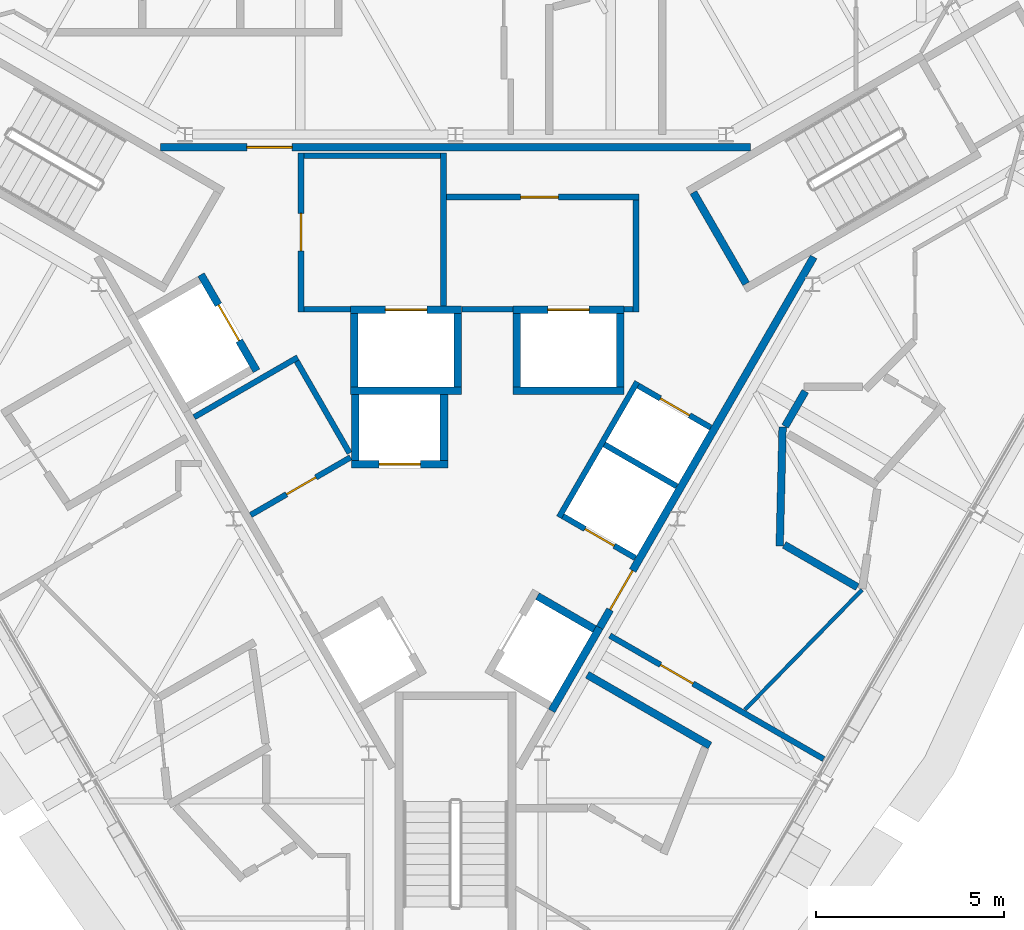
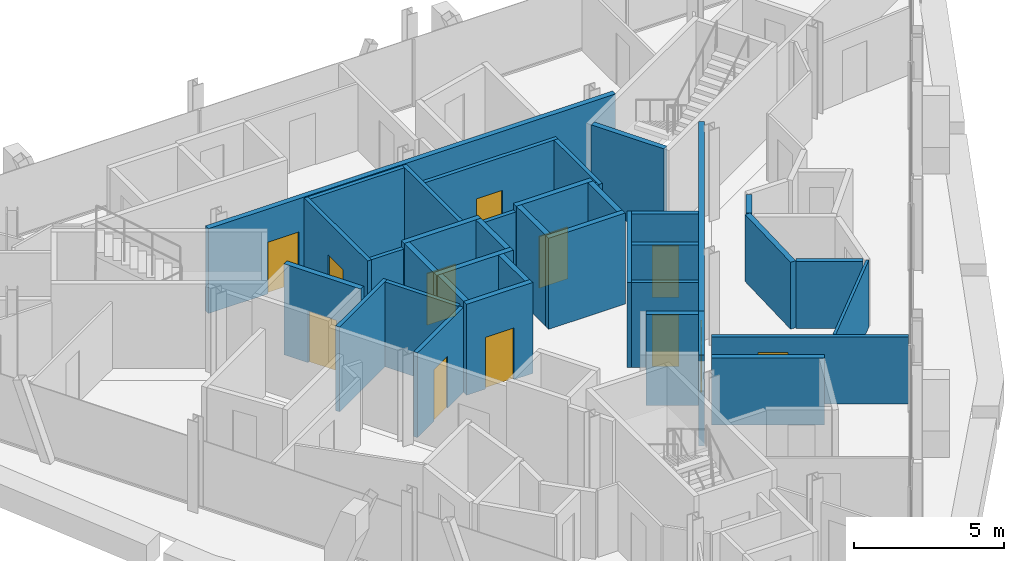
# One storey, part 9 of 13: 38 walls, 12 doors, 12 openings.
"""IFC4 building model written with IfcOpenShell, lengths in metres."""

from ifc_helpers import new_model, si_unit, direction, frame, frame_2d, origin, place, context, subcontext, project, spatial, rectangle, extrude, material, layer, layer_set, type_object, element, fill, save


model = new_model("IFC4")

# Units and contexts
model_context = context("Model", 3, precision=1e-05, world=origin(), true_north=direction((0.0, 1.0)))
body_context = subcontext(model_context, "Body", "Model", "MODEL_VIEW")
ifc_project = project(units=[si_unit("LENGTHUNIT", "METRE"), si_unit("AREAUNIT", "SQUARE_METRE"), si_unit("VOLUMEUNIT", "CUBIC_METRE"), si_unit("PLANEANGLEUNIT", "RADIAN"), si_unit("MASSUNIT", "GRAM", prefix="KILO")], contexts=[model_context])

# Site, building, storey
site_placement = place(None, origin())
site = spatial("IfcSite", under=ifc_project, at=site_placement, CompositionType="ELEMENT")
building_placement = place(site_placement, origin())
building = spatial("IfcBuilding", under=site, at=building_placement, Name="Verrane Prism Tower", CompositionType="ELEMENT")
storey_placement = place(building_placement, frame((0.0, 0.0, 278.800048828125)))
storey = spatial("IfcBuildingStorey", under=building, at=storey_placement, Name="L70", CompositionType="ELEMENT", Elevation=278.800048828125)

# Wall, opening, door
ifc_material_1 = material(Name="Gypsum board partition", Category="other")
ifc_layer_1 = layer(ifc_material_1, 0.199951171875)
ifc_layer_set_1 = layer_set([ifc_layer_1], Name="CW-200 core boundary wall 2 h")
wall_type_1 = type_object("IfcWallType", Name="CW-200 core boundary wall 2 h", PredefinedType="PARTITIONING", material=ifc_layer_set_1)
wall_1_placement = place(storey_placement, frame((7.8291015625, 6.4599609375, 0.0), z_axis=(0.0, 0.0, 1.0), x_axis=(-1.0, 0.0, 0.0)))
wall_1 = element("IfcWall", 1, at=wall_1_placement, inside=storey, type_object=wall_type_1, Name="Core boundary wall CW3-002", PredefinedType="PARTITIONING", context=body_context, shape_type="SweptSolid", body=[
    extrude(rectangle(XDim=15.658203125, YDim=0.199951171875, at=frame_2d((7.8291015625, 0.0))), origin(), (0.0, 0.0, 1.0), 3.449951171875),
])
opening_1_placement = place(wall_1_placement, frame((12.16796875, 0.0, 0.0)))
opening_1 = element("IfcOpeningElement", 2, at=opening_1_placement, cuts=wall_1, Name="Opening D69509", PredefinedType="OPENING", context=body_context, shape_type="SweptSolid", body=[
    extrude(rectangle(XDim=1.199951171875, YDim=2.10009765625, at=frame_2d((0.60009765625, 1.050048828125))), frame((0.0, 0.10986328125, 0.0), z_axis=(0.0, -1.0, 0.0), x_axis=(1.0, 0.0, 0.0)), (0.0, 0.0, 1.0), 0.219970703125),
])
ifc_material_2 = material(Name="Timber veneered door leaf", Category="wood")
door_type_1 = type_object("IfcDoorType", Name="DR-1200x2100 FD60 single leaf lift lobby", OperationType="NOTDEFINED", PredefinedType="DOOR", material=ifc_material_2)
door_1_placement = place(opening_1_placement, origin())
door_1 = element("IfcDoor", 3, at=door_1_placement, inside=storey, type_object=door_type_1, Name="Lift lobby door D69509", OperationType="SINGLE_SWING_RIGHT", OverallHeight=2.10009765625, OverallWidth=1.199951171875, PredefinedType="DOOR", context=body_context, shape_type="SweptSolid", body=[
    extrude(rectangle(XDim=1.199951171875, YDim=2.10009765625, at=frame_2d((0.60009765625, 1.050048828125))), frame((0.0, 0.02490234375, 0.0), z_axis=(0.0, -1.0, 0.0), x_axis=(1.0, 0.0, 0.0)), (0.0, 0.0, 1.0), 0.050048828125),
])
fill(opening_1, door_1)

wall_2_placement = place(storey_placement, frame((3.827880859375, -6.2900390625, 0.0), z_axis=(0.0, 0.0, 1.0), x_axis=(0.499979739078, 0.866037101117, 0.0)))
wall_2 = element("IfcWall", 4, at=wall_2_placement, inside=storey, type_object=wall_type_1, Name="Core boundary wall CW3-006", PredefinedType="PARTITIONING", context=body_context, shape_type="SweptSolid", body=[
    extrude(rectangle(XDim=11.36279296875, YDim=0.199951171875, at=frame_2d((5.681396484375, 0.0))), origin(), (0.0, 0.0, 1.0), 3.449951171875),
])
opening_2_placement = place(wall_2_placement, frame((0.550048828125, 0.0, 0.0)))
opening_2 = element("IfcOpeningElement", 5, at=opening_2_placement, cuts=wall_2, Name="Opening D69515", PredefinedType="OPENING", context=body_context, shape_type="SweptSolid", body=[
    extrude(rectangle(XDim=1.199951171875, YDim=2.10009765625, at=frame_2d((0.60009765625, 1.050048828125))), frame((0.0, 0.10986328125, 0.0), z_axis=(0.0, -1.0, 0.0), x_axis=(1.0, 0.0, 0.0)), (0.0, 0.0, 1.0), 0.219970703125),
])
door_2_placement = place(opening_2_placement, origin())
door_2 = element("IfcDoor", 6, at=door_2_placement, inside=storey, type_object=door_type_1, Name="Lift lobby door D69515", OperationType="SINGLE_SWING_RIGHT", OverallHeight=2.10009765625, OverallWidth=1.199951171875, PredefinedType="DOOR", context=body_context, shape_type="SweptSolid", body=[
    extrude(rectangle(XDim=1.199951171875, YDim=2.10009765625, at=frame_2d((0.60009765625, 1.050048828125))), frame((0.0, 0.02490234375, 0.0), z_axis=(0.0, -1.0, 0.0), x_axis=(1.0, 0.0, 0.0)), (0.0, 0.0, 1.0), 0.050048828125),
])
fill(opening_2, door_2)

# Wall
ifc_material_3 = material(Name="Concrete C40/50", Category="concrete")
ifc_layer_2 = layer(ifc_material_3, 0.199951171875)
ifc_layer_set_2 = layer_set([ifc_layer_2], Name="CW-200 stair core wall concrete C40/50 3 h")
wall_type_2 = type_object("IfcWallType", Name="CW-200 stair core wall concrete C40/50 3 h", PredefinedType="PARTITIONING", material=ifc_layer_set_2)
wall_3_placement = place(storey_placement, frame((7.71484375, 2.837646484375, 0.0), z_axis=(0.0, 0.0, 1.0), x_axis=(-0.500049511043, 0.865996816683, 0.0)))
element("IfcWall", 7, at=wall_3_placement, inside=storey, type_object=wall_type_2, Name="Stair 1 enclosure wall", PredefinedType="PARTITIONING", context=body_context, shape_type="SweptSolid", body=[
    extrude(rectangle(XDim=2.800048828125, YDim=0.199951171875, at=frame_2d((1.39990234375, 0.0))), origin(), (0.0, 0.0, 1.0), 3.449951171875),
])

# Wall, opening, door
ifc_material_4 = material(Name="Gypsum board shaft wall assembly", Category="other")
ifc_layer_3 = layer(ifc_material_4, 0.199951171875)
ifc_layer_set_3 = layer_set([ifc_layer_3], Name="HW-200 lift shaft wall 2 h")
wall_type_3 = type_object("IfcWallType", Name="HW-200 lift shaft wall 2 h", PredefinedType="PARTITIONING", material=ifc_layer_set_3)
wall_4_placement = place(storey_placement, frame((-2.7548828125, -1.949951171875, 0.0), z_axis=(0.0, 0.0, 1.0), x_axis=(1.0, 0.0, 0.0)))
wall_4 = element("IfcWall", 8, at=wall_4_placement, inside=storey, type_object=wall_type_3, Name="Lift shaft wall", PredefinedType="PARTITIONING", context=body_context, shape_type="SweptSolid", body=[
    extrude(rectangle(XDim=2.5498046875, YDim=0.199951171875, at=frame_2d((1.27490234375, 0.0))), origin(), (0.0, 0.0, 1.0), 3.699951171875),
])
opening_3_placement = place(wall_4_placement, frame((0.72509765625, 0.0, 0.0)))
opening_3 = element("IfcOpeningElement", 9, at=opening_3_placement, cuts=wall_4, Name="Opening D69504", PredefinedType="OPENING", context=body_context, shape_type="SweptSolid", body=[
    extrude(rectangle(XDim=1.10009765625, YDim=2.10009765625, at=frame_2d((0.550048828125, 1.050048828125))), frame((0.0, 0.10986328125, 0.0), z_axis=(0.0, -1.0, 0.0), x_axis=(1.0, 0.0, 0.0)), (0.0, 0.0, 1.0), 0.219970703125),
])
ifc_material_5 = material(Name="Stainless steel sliding landing door", Category="steel")
door_type_2 = type_object("IfcDoorType", Name="LD-1100x2100 lift landing door FD90 sliding", OperationType="NOTDEFINED", PredefinedType="DOOR", material=ifc_material_5)
door_3_placement = place(opening_3_placement, origin())
door_3 = element("IfcDoor", 10, at=door_3_placement, inside=storey, type_object=door_type_2, Name="Bank C lift 2 landing door", OperationType="SLIDING_TO_RIGHT", OverallHeight=2.10009765625, OverallWidth=1.10009765625, PredefinedType="DOOR", context=body_context, shape_type="SweptSolid", body=[
    extrude(rectangle(XDim=1.10009765625, YDim=2.10009765625, at=frame_2d((0.550048828125, 1.050048828125))), frame((0.0, 0.02490234375, 0.0), z_axis=(0.0, -1.0, 0.0), x_axis=(1.0, 0.0, 0.0)), (0.0, 0.0, 1.0), 0.050048828125),
])
fill(opening_3, door_3)

# Walls
wall_5_placement = place(storey_placement, frame((-2.784912109375, 0.0, 0.0), z_axis=(0.0, 0.0, 1.0), x_axis=(1.0, 0.0, 0.0)))
element("IfcWall", 11, at=wall_5_placement, inside=storey, type_object=wall_type_3, Name="Lift shaft wall", PredefinedType="PARTITIONING", context=body_context, shape_type="SweptSolid", body=[
    extrude(rectangle(XDim=2.949951171875, YDim=0.199951171875, at=frame_2d((1.47509765625, 0.0))), origin(), (0.0, 0.0, 1.0), 3.699951171875),
])
wall_6_placement = place(storey_placement, frame((1.52490234375, 0.0, 0.0), z_axis=(0.0, 0.0, 1.0), x_axis=(1.0, 0.0, 0.0)))
element("IfcWall", 12, at=wall_6_placement, inside=storey, type_object=wall_type_3, Name="Lift shaft wall", PredefinedType="PARTITIONING", context=body_context, shape_type="SweptSolid", body=[
    extrude(rectangle(XDim=2.9501953125, YDim=0.199951171875, at=frame_2d((1.47509765625, 0.0))), origin(), (0.0, 0.0, 1.0), 3.699951171875),
])

# Wall, opening, door
wall_7_placement = place(storey_placement, frame((-2.784912109375, 2.14990234375, 0.0), z_axis=(0.0, 0.0, 1.0), x_axis=(1.0, 0.0, 0.0)))
wall_7 = element("IfcWall", 13, at=wall_7_placement, inside=storey, type_object=wall_type_3, Name="Lift shaft wall", PredefinedType="PARTITIONING", context=body_context, shape_type="SweptSolid", body=[
    extrude(rectangle(XDim=2.949951171875, YDim=0.199951171875, at=frame_2d((1.47509765625, 0.0))), origin(), (0.0, 0.0, 1.0), 3.699951171875),
])
opening_4_placement = place(wall_7_placement, frame((0.925048828125, 0.0, 0.0)))
opening_4 = element("IfcOpeningElement", 14, at=opening_4_placement, cuts=wall_7, Name="Opening D69506", PredefinedType="OPENING", context=body_context, shape_type="SweptSolid", body=[
    extrude(rectangle(XDim=1.10009765625, YDim=2.10009765625, at=frame_2d((0.550048828125, 1.050048828125))), frame((0.0, 0.10986328125, 0.0), z_axis=(0.0, -1.0, 0.0), x_axis=(1.0, 0.0, 0.0)), (0.0, 0.0, 1.0), 0.219970703125),
])
door_4_placement = place(opening_4_placement, origin())
door_4 = element("IfcDoor", 15, at=door_4_placement, inside=storey, type_object=door_type_2, Name="Fire service lift 1 landing door", OperationType="SLIDING_TO_LEFT", OverallHeight=2.10009765625, OverallWidth=1.10009765625, PredefinedType="DOOR", context=body_context, shape_type="SweptSolid", body=[
    extrude(rectangle(XDim=1.10009765625, YDim=2.10009765625, at=frame_2d((0.550048828125, 1.050048828125))), frame((0.0, 0.02490234375, 0.0), z_axis=(0.0, -1.0, 0.0), x_axis=(1.0, 0.0, 0.0)), (0.0, 0.0, 1.0), 0.050048828125),
])
fill(opening_4, door_4)

wall_8_placement = place(storey_placement, frame((1.52490234375, 2.14990234375, 0.0), z_axis=(0.0, 0.0, 1.0), x_axis=(1.0, 0.0, 0.0)))
wall_8 = element("IfcWall", 16, at=wall_8_placement, inside=storey, type_object=wall_type_3, Name="Lift shaft wall", PredefinedType="PARTITIONING", context=body_context, shape_type="SweptSolid", body=[
    extrude(rectangle(XDim=2.9501953125, YDim=0.199951171875, at=frame_2d((1.47509765625, 0.0))), origin(), (0.0, 0.0, 1.0), 3.699951171875),
])
opening_5_placement = place(wall_8_placement, frame((0.925048828125, 0.0, 0.0)))
opening_5 = element("IfcOpeningElement", 17, at=opening_5_placement, cuts=wall_8, Name="Opening D69507", PredefinedType="OPENING", context=body_context, shape_type="SweptSolid", body=[
    extrude(rectangle(XDim=1.10009765625, YDim=2.10009765625, at=frame_2d((0.550048828125, 1.050048828125))), frame((0.0, 0.10986328125, 0.0), z_axis=(0.0, -1.0, 0.0), x_axis=(1.0, 0.0, 0.0)), (0.0, 0.0, 1.0), 0.219970703125),
])
door_5_placement = place(opening_5_placement, origin())
door_5 = element("IfcDoor", 18, at=door_5_placement, inside=storey, type_object=door_type_2, Name="Fire service lift 2 landing door", OperationType="SLIDING_TO_RIGHT", OverallHeight=2.10009765625, OverallWidth=1.10009765625, PredefinedType="DOOR", context=body_context, shape_type="SweptSolid", body=[
    extrude(rectangle(XDim=1.10009765625, YDim=2.10009765625, at=frame_2d((0.550048828125, 1.050048828125))), frame((0.0, 0.02490234375, 0.0), z_axis=(0.0, -1.0, 0.0), x_axis=(1.0, 0.0, 0.0)), (0.0, 0.0, 1.0), 0.050048828125),
])
fill(opening_5, door_5)

# Walls
wall_9_placement = place(storey_placement, frame((2.552001953125, -8.499755859375, 0.0), z_axis=(0.0, 0.0, 1.0), x_axis=(0.499990435942, 0.866030925526, 0.0)))
element("IfcWall", 19, at=wall_9_placement, inside=storey, type_object=wall_type_3, Name="Lift shaft wall", PredefinedType="PARTITIONING", context=body_context, shape_type="SweptSolid", body=[
    extrude(rectangle(XDim=2.5498046875, YDim=0.199951171875, at=frame_2d((1.27490234375, 0.0))), origin(), (0.0, 0.0, 1.0), 3.699951171875),
])
for number, where, z_axis, x_axis, name in (
    (20, (4.375, 0.10009765625, 0.0), (0.0, 0.0, 1.0), (0.0, 1.0, 0.0), "Lift shaft wall"),
    (21, (1.625, 0.10009765625, 0.0), (0.0, 0.0, 1.0), (0.0, 1.0, 0.0), "Lift shaft wall"),
    (22, (0.06494140625, 0.10009765625, 0.0), (0.0, 0.0, 1.0), (0.0, 1.0, 0.0), "Lift shaft wall"),
):
    element("IfcWall", number, at=place(storey_placement, frame(where, z_axis=z_axis, x_axis=x_axis)), inside=storey, type_object=wall_type_3, Name=name, PredefinedType="PARTITIONING", context=body_context, shape_type="SweptSolid", body=[
        extrude(rectangle(XDim=1.949951171875, YDim=0.199951171875, at=frame_2d((0.97509765625, 0.0))), origin(), (0.0, 0.0, 1.0), 3.699951171875),
    ])
for number, where, z_axis, x_axis, name in (
    (23, (-0.304931640625, -1.85009765625, 0.0), (0.0, 0.0, 1.0), (0.0, 1.0, 0.0), "Lift shaft wall"),
    (24, (-2.655029296875, -1.85009765625, 0.0), (0.0, 0.0, 1.0), (0.0, 1.0, 0.0), "Lift shaft wall"),
):
    element("IfcWall", number, at=place(storey_placement, frame(where, z_axis=z_axis, x_axis=x_axis)), inside=storey, type_object=wall_type_3, Name=name, PredefinedType="PARTITIONING", context=body_context, shape_type="SweptSolid", body=[
        extrude(rectangle(XDim=1.75, YDim=0.199951171875, at=frame_2d((0.875, 0.0))), origin(), (0.0, 0.0, 1.0), 3.699951171875),
    ])
wall_10_placement = place(storey_placement, frame((-2.68505859375, 0.10009765625, 0.0), z_axis=(0.0, 0.0, 1.0), x_axis=(0.0, 1.0, 0.0)))
element("IfcWall", 25, at=wall_10_placement, inside=storey, type_object=wall_type_3, Name="Lift shaft wall", PredefinedType="PARTITIONING", context=body_context, shape_type="SweptSolid", body=[
    extrude(rectangle(XDim=1.949951171875, YDim=0.199951171875, at=frame_2d((0.97509765625, 0.0))), origin(), (0.0, 0.0, 1.0), 3.699951171875),
])

# Wall, opening, door
wall_11_placement = place(storey_placement, frame((-5.280029296875, 0.525390625, 0.0), z_axis=(0.0, 0.0, 1.0), x_axis=(-0.500037662692, 0.866003658127, 0.0)))
wall_11 = element("IfcWall", 26, at=wall_11_placement, inside=storey, type_object=wall_type_3, Name="Lift shaft wall", PredefinedType="PARTITIONING", context=body_context, shape_type="SweptSolid", body=[
    extrude(rectangle(XDim=2.949951171875, YDim=0.199951171875, at=frame_2d((1.47509765625, 0.0))), origin(), (0.0, 0.0, 1.0), 3.699951171875),
])
opening_6_placement = place(wall_11_placement, frame((0.925048828125, 0.0, 0.0)))
opening_6 = element("IfcOpeningElement", 27, at=opening_6_placement, cuts=wall_11, Name="Opening D69508", PredefinedType="OPENING", context=body_context, shape_type="SweptSolid", body=[
    extrude(rectangle(XDim=1.10009765625, YDim=2.10009765625, at=frame_2d((0.550048828125, 1.050048828125))), frame((0.0, 0.10986328125, 0.0), z_axis=(0.0, -1.0, 0.0), x_axis=(1.0, 0.0, 0.0)), (0.0, 0.0, 1.0), 0.219970703125),
])
door_6_placement = place(opening_6_placement, origin())
door_6 = element("IfcDoor", 28, at=door_6_placement, inside=storey, type_object=door_type_2, Name="Service lift 1 landing door", OperationType="SLIDING_TO_LEFT", OverallHeight=2.10009765625, OverallWidth=1.10009765625, PredefinedType="DOOR", context=body_context, shape_type="SweptSolid", body=[
    extrude(rectangle(XDim=1.10009765625, YDim=2.10009765625, at=frame_2d((0.550048828125, 1.050048828125))), frame((0.0, 0.02490234375, 0.0), z_axis=(0.0, -1.0, 0.0), x_axis=(1.0, 0.0, 0.0)), (0.0, 0.0, 1.0), 0.050048828125),
])
fill(opening_6, door_6)

# Wall
wall_12_placement = place(storey_placement, frame((3.6904296875, -6.327880859375, 0.0), z_axis=(0.0, 0.0, 1.0), x_axis=(-0.866036909293, 0.499980071345, 0.0)))
element("IfcWall", 29, at=wall_12_placement, inside=storey, type_object=wall_type_3, Name="Lift shaft wall", PredefinedType="PARTITIONING", context=body_context, shape_type="SweptSolid", body=[
    extrude(rectangle(XDim=1.75, YDim=0.199951171875, at=frame_2d((0.875, 0.0))), origin(), (0.0, 0.0, 1.0), 3.699951171875),
])

# Wall, opening, door
ifc_material_6 = material(Name="Gypsum board partition", Category="other")
ifc_layer_4 = layer(ifc_material_6, 0.14990234375)
ifc_layer_set_4 = layer_set([ifc_layer_4], Name="LF-150 firefighting lobby wall 1 h")
wall_type_4 = type_object("IfcWallType", Name="LF-150 firefighting lobby wall 1 h", PredefinedType="PARTITIONING", material=ifc_layer_set_4)
wall_13_placement = place(storey_placement, frame((-4.10009765625, 2.0849609375, 0.0), z_axis=(0.0, 0.0, 1.0), x_axis=(0.0, 1.0, 0.0)))
wall_13 = element("IfcWall", 30, at=wall_13_placement, inside=storey, type_object=wall_type_4, Name="Firefighting lobby wall LF1-001", PredefinedType="PARTITIONING", context=body_context, shape_type="SweptSolid", body=[
    extrude(rectangle(XDim=4.22998046875, YDim=0.14990234375, at=frame_2d((2.114990234375, 0.0))), origin(), (0.0, 0.0, 1.0), 3.449951171875),
])
opening_7_placement = place(wall_13_placement, frame((1.625, 0.0, 0.0)))
opening_7 = element("IfcOpeningElement", 31, at=opening_7_placement, cuts=wall_13, Name="Opening D69512", PredefinedType="OPENING", context=body_context, shape_type="SweptSolid", body=[
    extrude(rectangle(XDim=1.0, YDim=2.10009765625, at=frame_2d((0.5, 1.050048828125))), frame((0.0, 0.0849609375, 0.0), z_axis=(0.0, -1.0, 0.0), x_axis=(1.0, 0.0, 0.0)), (0.0, 0.0, 1.0), 0.169921875),
])
ifc_material_7 = material(Name="Timber veneered door leaf", Category="wood")
door_type_3 = type_object("IfcDoorType", Name="DR-1000x2100 FD60 single leaf firefighting lobby", OperationType="NOTDEFINED", PredefinedType="DOOR", material=ifc_material_7)
door_7_placement = place(opening_7_placement, origin())
door_7 = element("IfcDoor", 32, at=door_7_placement, inside=storey, type_object=door_type_3, Name="Firefighting lobby door D69512", OperationType="SINGLE_SWING_RIGHT", OverallHeight=2.10009765625, OverallWidth=1.0, PredefinedType="DOOR", context=body_context, shape_type="SweptSolid", body=[
    extrude(rectangle(XDim=1.0, YDim=2.10009765625, at=frame_2d((0.5, 1.050048828125))), frame((0.0, 0.02490234375, 0.0), z_axis=(0.0, -1.0, 0.0), x_axis=(1.0, 0.0, 0.0)), (0.0, 0.0, 1.0), 0.050048828125),
])
fill(opening_7, door_7)

# Walls
wall_14_placement = place(storey_placement, frame((-4.02490234375, 2.159912109375, 0.0), z_axis=(0.0, 0.0, 1.0), x_axis=(1.0, 0.0, 0.0)))
element("IfcWall", 33, at=wall_14_placement, inside=storey, type_object=wall_type_4, Name="Firefighting lobby wall LF1-002", PredefinedType="PARTITIONING", context=body_context, shape_type="SweptSolid", body=[
    extrude(rectangle(XDim=1.23779296875, YDim=0.14990234375, at=frame_2d((0.618896484375, 0.0))), origin(), (0.0, 0.0, 1.0), 3.449951171875),
])
wall_15_placement = place(storey_placement, frame((-4.02490234375, 6.239990234375, 0.0), z_axis=(0.0, 0.0, 1.0), x_axis=(1.0, 0.0, 0.0)))
element("IfcWall", 34, at=wall_15_placement, inside=storey, type_object=wall_type_4, Name="Firefighting lobby wall LF1-003", PredefinedType="PARTITIONING", context=body_context, shape_type="SweptSolid", body=[
    extrude(rectangle(XDim=3.6298828125, YDim=0.14990234375, at=frame_2d((1.81494140625, 0.0))), origin(), (0.0, 0.0, 1.0), 3.449951171875),
])
wall_16_placement = place(storey_placement, frame((-0.320068359375, 2.251953125, 0.0), z_axis=(0.0, 0.0, 1.0), x_axis=(0.0, 1.0, 0.0)))
element("IfcWall", 35, at=wall_16_placement, inside=storey, type_object=wall_type_4, Name="Firefighting lobby wall LF1-004", PredefinedType="PARTITIONING", context=body_context, shape_type="SweptSolid", body=[
    extrude(rectangle(XDim=4.06298828125, YDim=0.14990234375, at=frame_2d((2.031494140625, 0.0))), origin(), (0.0, 0.0, 1.0), 3.449951171875),
])

# Wall, opening, door
wall_17_placement = place(storey_placement, frame((-0.2451171875, 5.139892578125, 0.0), z_axis=(0.0, 0.0, 1.0), x_axis=(1.0, 0.0, 0.0)))
wall_17 = element("IfcWall", 36, at=wall_17_placement, inside=storey, type_object=wall_type_4, Name="Firefighting lobby wall LF1-005", PredefinedType="PARTITIONING", context=body_context, shape_type="SweptSolid", body=[
    extrude(rectangle(XDim=5.110107421875, YDim=0.14990234375, at=frame_2d((2.55517578125, 0.0))), origin(), (0.0, 0.0, 1.0), 3.449951171875),
])
opening_8_placement = place(wall_17_placement, frame((1.97509765625, 0.0, 0.0)))
opening_8 = element("IfcOpeningElement", 37, at=opening_8_placement, cuts=wall_17, Name="Opening D69513", PredefinedType="OPENING", context=body_context, shape_type="SweptSolid", body=[
    extrude(rectangle(XDim=1.0, YDim=2.10009765625, at=frame_2d((0.5, 1.050048828125))), frame((0.0, 0.0849609375, 0.0), z_axis=(0.0, -1.0, 0.0), x_axis=(1.0, 0.0, 0.0)), (0.0, 0.0, 1.0), 0.169921875),
])
door_8_placement = place(opening_8_placement, origin())
door_8 = element("IfcDoor", 38, at=door_8_placement, inside=storey, type_object=door_type_3, Name="Firefighting lobby door D69513", OperationType="SINGLE_SWING_LEFT", OverallHeight=2.10009765625, OverallWidth=1.0, PredefinedType="DOOR", context=body_context, shape_type="SweptSolid", body=[
    extrude(rectangle(XDim=1.0, YDim=2.10009765625, at=frame_2d((0.5, 1.050048828125))), frame((0.0, 0.02490234375, 0.0), z_axis=(0.0, -1.0, 0.0), x_axis=(1.0, 0.0, 0.0)), (0.0, 0.0, 1.0), 0.050048828125),
])
fill(opening_8, door_8)

# Walls
wall_18_placement = place(storey_placement, frame((0.1669921875, 2.159912109375, 0.0), z_axis=(0.0, 0.0, 1.0), x_axis=(1.0, 0.0, 0.0)))
element("IfcWall", 39, at=wall_18_placement, inside=storey, type_object=wall_type_4, Name="Firefighting lobby wall LF1-006", PredefinedType="PARTITIONING", context=body_context, shape_type="SweptSolid", body=[
    extrude(rectangle(XDim=1.35595703125, YDim=0.14990234375, at=frame_2d((0.677978515625, 0.0))), origin(), (0.0, 0.0, 1.0), 3.449951171875),
])
wall_19_placement = place(storey_placement, frame((4.47705078125, 2.159912109375, 0.0), z_axis=(0.0, 0.0, 1.0), x_axis=(1.0, 0.0, 0.0)))
element("IfcWall", 40, at=wall_19_placement, inside=storey, type_object=wall_type_4, Name="Firefighting lobby wall LF1-007", PredefinedType="PARTITIONING", context=body_context, shape_type="SweptSolid", body=[
    extrude(rectangle(XDim=0.238037109375, YDim=0.14990234375, at=frame_2d((0.119140625, 0.0))), origin(), (0.0, 0.0, 1.0), 3.449951171875),
])
wall_20_placement = place(storey_placement, frame((4.7900390625, 2.0849609375, 0.0), z_axis=(0.0, 0.0, 1.0), x_axis=(0.0, 1.0, 0.0)))
element("IfcWall", 41, at=wall_20_placement, inside=storey, type_object=wall_type_4, Name="Firefighting lobby wall LF1-008", PredefinedType="PARTITIONING", context=body_context, shape_type="SweptSolid", body=[
    extrude(rectangle(XDim=2.97998046875, YDim=0.14990234375, at=frame_2d((1.489990234375, 0.0))), origin(), (0.0, 0.0, 1.0), 3.449951171875),
])
ifc_material_8 = material(Name="Gypsum board partition", Category="other")
ifc_layer_5 = layer(ifc_material_8, 0.10009765625)
ifc_layer_set_5 = layer_set([ifc_layer_5], Name="PW-100 room partition")
wall_type_5 = type_object("IfcWallType", Name="PW-100 room partition", PredefinedType="PARTITIONING", material=ifc_layer_set_5)
wall_21_placement = place(storey_placement, frame((7.68212890625, -8.470458984375, 0.0), z_axis=(0.0, 0.0, 1.0), x_axis=(0.698777378461, 0.715339203002, 0.0)))
element("IfcWall", 42, at=wall_21_placement, inside=storey, type_object=wall_type_5, Name="Room partition 055", PredefinedType="PARTITIONING", context=body_context, shape_type="SweptSolid", body=[
    extrude(rectangle(XDim=4.451904296875, YDim=0.10009765625, at=frame_2d((2.22607421875, 0.0))), origin(), (0.0, 0.0, 1.0), 2.722900390625),
])

# Wall, opening, door
ifc_material_9 = material(Name="Gypsum board partition", Category="other")
ifc_layer_6 = layer(ifc_material_9, 0.14990234375)
ifc_layer_set_6 = layer_set([ifc_layer_6], Name="PW-150 demising wall 1 h")
wall_type_6 = type_object("IfcWallType", Name="PW-150 demising wall 1 h", PredefinedType="PARTITIONING", material=ifc_layer_set_6)
wall_22_placement = place(storey_placement, frame((9.771728515625, -9.77685546875, 0.0), z_axis=(0.0, 0.0, 1.0), x_axis=(-0.866083818164, 0.499898809675, 0.0)))
wall_22 = element("IfcWall", 43, at=wall_22_placement, inside=storey, type_object=wall_type_6, Name="Demising wall 052", PredefinedType="PARTITIONING", context=body_context, shape_type="SweptSolid", body=[
    extrude(rectangle(XDim=6.551025390625, YDim=0.14990234375, at=frame_2d((3.275390625, 0.0))), origin(), (0.0, 0.0, 1.0), 2.722900390625),
])
opening_9_placement = place(wall_22_placement, frame((4.0009765625, 0.0, 0.0)))
opening_9 = element("IfcOpeningElement", 44, at=opening_9_placement, cuts=wall_22, Name="Opening D69002", PredefinedType="OPENING", context=body_context, shape_type="SweptSolid", body=[
    extrude(rectangle(XDim=1.0, YDim=2.10009765625, at=frame_2d((0.5, 1.050048828125))), frame((0.0, 0.0849609375, 0.0), z_axis=(0.0, -1.0, 0.0), x_axis=(1.0, 0.0, 0.0)), (0.0, 0.0, 1.0), 0.169921875),
])
ifc_material_10 = material(Name="Timber veneered door leaf", Category="wood")
door_type_4 = type_object("IfcDoorType", Name="DR-1000x2100 FD20 single leaf inner", OperationType="NOTDEFINED", PredefinedType="DOOR", material=ifc_material_10)
door_9_placement = place(opening_9_placement, origin())
door_9 = element("IfcDoor", 45, at=door_9_placement, inside=storey, type_object=door_type_4, Name="Entrance Foyer door", OperationType="SINGLE_SWING_LEFT", OverallHeight=2.10009765625, OverallWidth=1.0, PredefinedType="DOOR", context=body_context, shape_type="SweptSolid", body=[
    extrude(rectangle(XDim=1.0, YDim=2.10009765625, at=frame_2d((0.5, 1.050048828125))), frame((0.0, 0.02490234375, 0.0), z_axis=(0.0, -1.0, 0.0), x_axis=(1.0, 0.0, 0.0)), (0.0, 0.0, 1.0), 0.050048828125),
])
fill(opening_9, door_9)

# Walls
ifc_material_11 = material(Name="Gypsum board partition", Category="other")
ifc_layer_7 = layer(ifc_material_11, 0.199951171875)
ifc_layer_set_7 = layer_set([ifc_layer_7], Name="PW-200 plumbing wall")
wall_type_7 = type_object("IfcWallType", Name="PW-200 plumbing wall", PredefinedType="PARTITIONING", material=ifc_layer_set_7)
wall_23_placement = place(storey_placement, frame((3.498046875, -7.541015625, 0.0), z_axis=(0.0, 0.0, 1.0), x_axis=(0.865985624761, -0.500068892961, 0.0)))
element("IfcWall", 46, at=wall_23_placement, inside=storey, type_object=wall_type_7, Name="Plumbing wall 050", PredefinedType="PARTITIONING", context=body_context, shape_type="SweptSolid", body=[
    extrude(rectangle(XDim=3.76171875, YDim=0.199951171875, at=frame_2d((1.880859375, 0.0))), origin(), (0.0, 0.0, 1.0), 2.722900390625),
])
wall_24_placement = place(storey_placement, frame((8.606689453125, -4.125, 0.0), z_axis=(0.0, 0.0, 1.0), x_axis=(0.024245593124, 0.999706032399, 0.0)))
element("IfcWall", 47, at=wall_24_placement, inside=storey, type_object=wall_type_7, Name="Plumbing wall 056", PredefinedType="PARTITIONING", context=body_context, shape_type="SweptSolid", body=[
    extrude(rectangle(XDim=3.161865234375, YDim=0.199951171875, at=frame_2d((1.5810546875, 0.0))), origin(), (0.0, 0.0, 1.0), 2.722900390625),
])
wall_25_placement = place(storey_placement, frame((8.725830078125, -4.092529296875, 0.0), z_axis=(0.0, 0.0, 1.0), x_axis=(0.866056839033, -0.499945548598, 0.0)))
element("IfcWall", 48, at=wall_25_placement, inside=storey, type_object=wall_type_7, Name="Plumbing wall 057", PredefinedType="PARTITIONING", context=body_context, shape_type="SweptSolid", body=[
    extrude(rectangle(XDim=2.241943359375, YDim=0.199951171875, at=frame_2d((1.12109375, 0.0))), origin(), (0.0, 0.0, 1.0), 2.722900390625),
])
wall_26_placement = place(storey_placement, frame((8.74853515625, -0.947021484375, 0.0), z_axis=(0.0, 0.0, 1.0), x_axis=(0.499656913366, 0.866223394354, 0.0)))
element("IfcWall", 49, at=wall_26_placement, inside=storey, type_object=wall_type_7, Name="Plumbing wall 058", PredefinedType="PARTITIONING", context=body_context, shape_type="SweptSolid", body=[
    extrude(rectangle(XDim=1.074951171875, YDim=0.199951171875, at=frame_2d((0.53759765625, 0.0))), origin(), (0.0, 0.0, 1.0), 2.722900390625),
])
ifc_material_12 = material(Name="Gypsum board partition", Category="other")
ifc_layer_8 = layer(ifc_material_12, 0.14990234375)
ifc_layer_set_8 = layer_set([ifc_layer_8], Name="RS-150 riser enclosure wall 1 h")
wall_type_8 = type_object("IfcWallType", Name="RS-150 riser enclosure wall 1 h", PredefinedType="PARTITIONING", material=ifc_layer_set_8)
wall_27_placement = place(storey_placement, frame((-6.9375, -0.702880859375, 0.0), z_axis=(0.0, 0.0, 1.0), x_axis=(0.866029357279, 0.499993152284, 0.0)))
element("IfcWall", 50, at=wall_27_placement, inside=storey, type_object=wall_type_8, Name="Riser wall RS3-001", PredefinedType="PARTITIONING", context=body_context, shape_type="SweptSolid", body=[
    extrude(rectangle(XDim=3.1748046875, YDim=0.14990234375, at=frame_2d((1.58740234375, 0.0))), origin(), (0.0, 0.0, 1.0), 3.449951171875),
])

# Wall, opening, door
wall_28_placement = place(storey_placement, frame((-5.4375, -3.301025390625, 0.0), z_axis=(0.0, 0.0, 1.0), x_axis=(0.865961047596, 0.500111451624, 0.0)))
wall_28 = element("IfcWall", 51, at=wall_28_placement, inside=storey, type_object=wall_type_8, Name="Riser wall RS3-002", PredefinedType="PARTITIONING", context=body_context, shape_type="SweptSolid", body=[
    extrude(rectangle(XDim=3.060302734375, YDim=0.14990234375, at=frame_2d((1.5302734375, 0.0))), origin(), (0.0, 0.0, 1.0), 3.449951171875),
])
opening_10_placement = place(wall_28_placement, frame((1.10009765625, 0.0, 0.0)))
opening_10 = element("IfcOpeningElement", 52, at=opening_10_placement, cuts=wall_28, Name="Opening D69511", PredefinedType="OPENING", context=body_context, shape_type="SweptSolid", body=[
    extrude(rectangle(XDim=0.89990234375, YDim=2.10009765625, at=frame_2d((0.449951171875, 1.050048828125))), frame((0.0, 0.0849609375, 0.0), z_axis=(0.0, -1.0, 0.0), x_axis=(1.0, 0.0, 0.0)), (0.0, 0.0, 1.0), 0.169921875),
])
ifc_material_13 = material(Name="Timber veneered door leaf", Category="wood")
door_type_5 = type_object("IfcDoorType", Name="DR-900x2100 FD20 single leaf store", OperationType="NOTDEFINED", PredefinedType="DOOR", material=ifc_material_13)
door_10_placement = place(opening_10_placement, origin())
door_10 = element("IfcDoor", 53, at=door_10_placement, inside=storey, type_object=door_type_5, Name="Room door D69511", OperationType="SINGLE_SWING_RIGHT", OverallHeight=2.10009765625, OverallWidth=0.89990234375, PredefinedType="DOOR", context=body_context, shape_type="SweptSolid", body=[
    extrude(rectangle(XDim=0.89990234375, YDim=2.10009765625, at=frame_2d((0.449951171875, 1.050048828125))), frame((0.0, 0.02490234375, 0.0), z_axis=(0.0, -1.0, 0.0), x_axis=(1.0, 0.0, 0.0)), (0.0, 0.0, 1.0), 0.050048828125),
])
fill(opening_10, door_10)

# Walls
wall_29_placement = place(storey_placement, frame((-4.215576171875, 0.781982421875, 0.0), z_axis=(0.0, 0.0, 1.0), x_axis=(0.498733469436, -0.866755401751, 0.0)))
element("IfcWall", 54, at=wall_29_placement, inside=storey, type_object=wall_type_8, Name="Riser wall RS3-003", PredefinedType="PARTITIONING", context=body_context, shape_type="SweptSolid", body=[
    extrude(rectangle(XDim=2.814697265625, YDim=0.14990234375, at=frame_2d((1.4072265625, 0.0))), origin(), (0.0, 0.0, 1.0), 3.449951171875),
])
wall_30_placement = place(storey_placement, frame((2.74853515625, -3.35888671875, 0.0), z_axis=(0.0, 0.0, 1.0), x_axis=(0.500017827812, 0.866015110648, 0.0)))
element("IfcWall", 55, at=wall_30_placement, inside=storey, type_object=wall_type_8, Name="Riser wall RS3-004", PredefinedType="PARTITIONING", context=body_context, shape_type="SweptSolid", body=[
    extrude(rectangle(XDim=4.149658203125, YDim=0.14990234375, at=frame_2d((2.07470703125, 0.0))), origin(), (0.0, 0.0, 1.0), 3.449951171875),
])

# Wall, opening, door
wall_31_placement = place(storey_placement, frame((2.85107421875, -3.33154296875, 0.0), z_axis=(0.0, 0.0, 1.0), x_axis=(0.866110524189, -0.499852538144, 0.0)))
wall_31 = element("IfcWall", 56, at=wall_31_placement, inside=storey, type_object=wall_type_8, Name="Riser wall RS3-005", PredefinedType="PARTITIONING", context=body_context, shape_type="SweptSolid", body=[
    extrude(rectangle(XDim=2.220458984375, YDim=0.14990234375, at=frame_2d((1.1103515625, 0.0))), origin(), (0.0, 0.0, 1.0), 3.449951171875),
])
opening_11_placement = place(wall_31_placement, frame((0.675048828125, 0.0, 0.0)))
opening_11 = element("IfcOpeningElement", 57, at=opening_11_placement, cuts=wall_31, Name="Opening D69514", PredefinedType="OPENING", context=body_context, shape_type="SweptSolid", body=[
    extrude(rectangle(XDim=0.89990234375, YDim=2.10009765625, at=frame_2d((0.449951171875, 1.050048828125))), frame((0.0, 0.0849609375, 0.0), z_axis=(0.0, -1.0, 0.0), x_axis=(1.0, 0.0, 0.0)), (0.0, 0.0, 1.0), 0.169921875),
])
ifc_material_14 = material(Name="Timber veneered door leaf", Category="wood")
door_type_6 = type_object("IfcDoorType", Name="DR-900x2100 FD60 single leaf riser", OperationType="NOTDEFINED", PredefinedType="DOOR", material=ifc_material_14)
door_11_placement = place(opening_11_placement, origin())
door_11 = element("IfcDoor", 58, at=door_11_placement, inside=storey, type_object=door_type_6, Name="Riser door D69514", OperationType="SINGLE_SWING_RIGHT", OverallHeight=2.10009765625, OverallWidth=0.89990234375, PredefinedType="DOOR", context=body_context, shape_type="SweptSolid", body=[
    extrude(rectangle(XDim=0.89990234375, YDim=2.10009765625, at=frame_2d((0.449951171875, 1.050048828125))), frame((0.0, 0.02490234375, 0.0), z_axis=(0.0, -1.0, 0.0), x_axis=(1.0, 0.0, 0.0)), (0.0, 0.0, 1.0), 0.050048828125),
])
fill(opening_11, door_11)

# Wall
wall_32_placement = place(storey_placement, frame((3.950927734375, -1.426513671875, 0.0), z_axis=(0.0, 0.0, 1.0), x_axis=(0.866062920605, -0.499935013329, 0.0)))
element("IfcWall", 59, at=wall_32_placement, inside=storey, type_object=wall_type_8, Name="Riser wall RS3-006", PredefinedType="PARTITIONING", context=body_context, shape_type="SweptSolid", body=[
    extrude(rectangle(XDim=2.220458984375, YDim=0.14990234375, at=frame_2d((1.1103515625, 0.0))), origin(), (0.0, 0.0, 1.0), 3.449951171875),
])

# Wall, opening, door
wall_33_placement = place(storey_placement, frame((6.774169921875, -0.9775390625, 0.0), z_axis=(0.0, 0.0, 1.0), x_axis=(-0.866062920605, 0.499935013329, 0.0)))
wall_33 = element("IfcWall", 60, at=wall_33_placement, inside=storey, type_object=wall_type_8, Name="Riser wall RS3-007", PredefinedType="PARTITIONING", context=body_context, shape_type="SweptSolid", body=[
    extrude(rectangle(XDim=2.220458984375, YDim=0.14990234375, at=frame_2d((1.1103515625, 0.0))), origin(), (0.0, 0.0, 1.0), 3.449951171875),
])
opening_12_placement = place(wall_33_placement, frame((0.6455078125, 0.0, 0.0)))
opening_12 = element("IfcOpeningElement", 61, at=opening_12_placement, cuts=wall_33, Name="Opening D69516", PredefinedType="OPENING", context=body_context, shape_type="SweptSolid", body=[
    extrude(rectangle(XDim=0.89990234375, YDim=2.10009765625, at=frame_2d((0.449951171875, 1.050048828125))), frame((0.0, 0.0849609375, 0.0), z_axis=(0.0, -1.0, 0.0), x_axis=(1.0, 0.0, 0.0)), (0.0, 0.0, 1.0), 0.169921875),
])
door_12_placement = place(opening_12_placement, origin())
door_12 = element("IfcDoor", 62, at=door_12_placement, inside=storey, type_object=door_type_6, Name="Riser door D69516", OperationType="SINGLE_SWING_RIGHT", OverallHeight=2.10009765625, OverallWidth=0.89990234375, PredefinedType="DOOR", context=body_context, shape_type="SweptSolid", body=[
    extrude(rectangle(XDim=0.89990234375, YDim=2.10009765625, at=frame_2d((0.449951171875, 1.050048828125))), frame((0.0, 0.02490234375, 0.0), z_axis=(0.0, -1.0, 0.0), x_axis=(1.0, 0.0, 0.0)), (0.0, 0.0, 1.0), 0.050048828125),
])
fill(opening_12, door_12)

save(model, "model.ifc")
